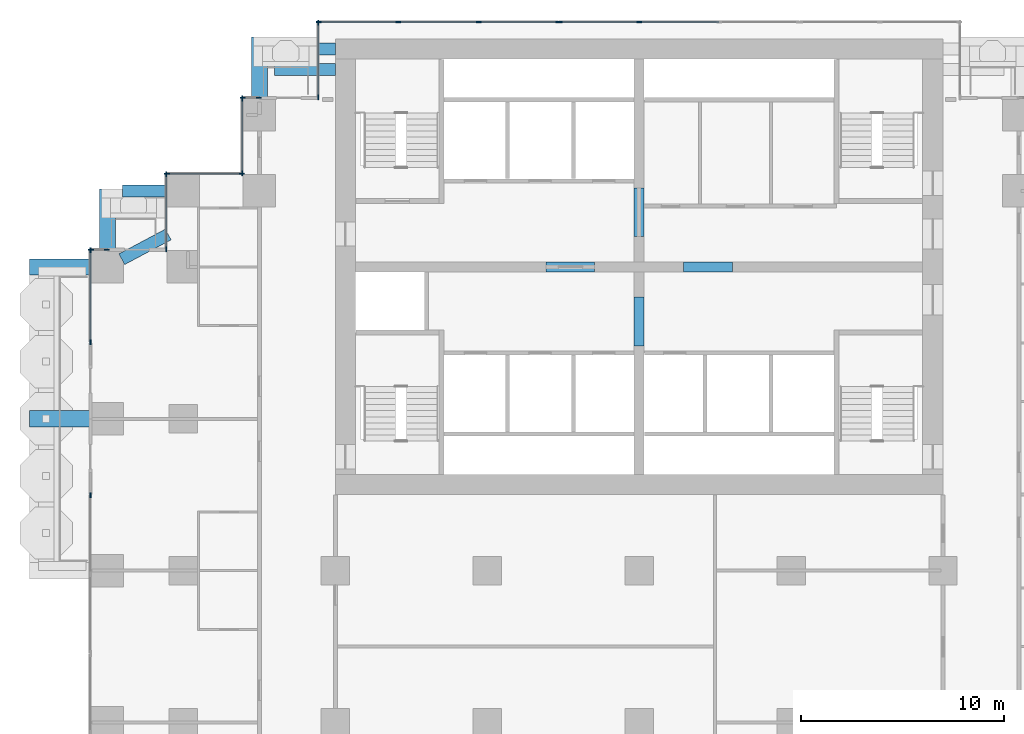
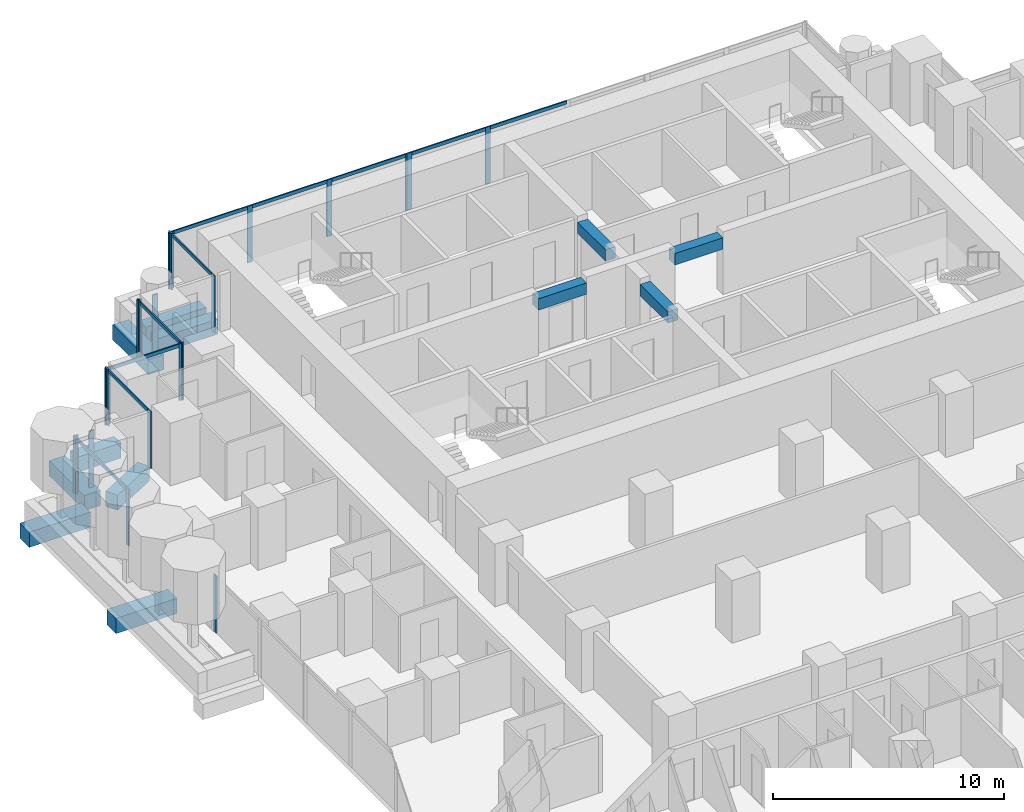
# One storey, part 4 of 17: 31 members, 12 beams, 10 elements without a shape of their own.
"""IFC4 building model written with IfcOpenShell, lengths in metres."""

from ifc_helpers import new_model, si_unit, direction, frame, origin, origin_2d, place, context, subcontext, project, spatial, rectangle, extrude, material, material_profile, profile_set, type_object, element, aggregate, save


model = new_model("IFC4")

# Units and contexts
model_context = context("Model", 3, precision=1e-05, world=origin(), true_north=direction((0.0, 1.0)))
body_context = subcontext(model_context, "Body", "Model", "MODEL_VIEW")
ifc_project = project(units=[si_unit("LENGTHUNIT", "METRE"), si_unit("AREAUNIT", "SQUARE_METRE"), si_unit("VOLUMEUNIT", "CUBIC_METRE"), si_unit("PLANEANGLEUNIT", "RADIAN"), si_unit("MASSUNIT", "GRAM", prefix="KILO")], contexts=[model_context])

# Site, building, storey
site_placement = place(None, origin())
site = spatial("IfcSite", under=ifc_project, at=site_placement, CompositionType="ELEMENT")
building_placement = place(site_placement, origin())
building = spatial("IfcBuilding", under=site, at=building_placement, Name="Pilkhan Gate Tower", CompositionType="ELEMENT")
storey_placement = place(building_placement, frame((0.0, 0.0, 49.39990234375)))
storey = spatial("IfcBuildingStorey", under=building, at=storey_placement, Name="L09", CompositionType="ELEMENT", Elevation=49.39990234375)

# Beams
ifc_material_1 = material(Name="Concrete C50/60", Category="concrete")
ifc_material_profile_1 = material_profile(ifc_material_1, rectangle(XDim=0.60009765625, YDim=0.800048828125, at=origin_2d()), Name="RC 600x800")
ifc_profile_set_1 = profile_set([ifc_material_profile_1], Name="Concrete C50/60")
beam_type_1 = type_object("IfcBeamType", Name="Cantilever beam CB1 RC 600x800 C50/60", PredefinedType="BEAM", material=ifc_profile_set_1)
for number, where, z_axis, x_axis, name in (
    (1, (60.0, 93.25, -0.699951171875), (-1.0, 0.0, 0.0), (0.0, -1.0, 0.0), "Balcony beam NW.2 L09"),
    (2, (60.0, 92.25, -0.699951171875), (-1.0, 0.0, 0.0), (0.0, -1.0, 0.0), "Balcony beam NW.3 L09"),
):
    element("IfcBeam", number, at=place(storey_placement, frame(where, z_axis=z_axis, x_axis=x_axis)), inside=storey, type_object=beam_type_1, Name=name, PredefinedType="BEAM", context=body_context, shape_type="SweptSolid", body=[
        extrude(rectangle(XDim=0.60009765625, YDim=0.800048828125, at=origin_2d()), origin(), (0.0, 0.0, 1.0), 3.0),
    ])
beam_1_placement = place(storey_placement, frame((51.699951171875, 86.25, -0.699951171875), z_axis=(-1.0, 0.0, 0.0), x_axis=(0.0, -1.0, 0.0)))
element("IfcBeam", 3, at=beam_1_placement, inside=storey, type_object=beam_type_1, Name="Balcony beam NW2.2 L09", PredefinedType="BEAM", context=body_context, shape_type="SweptSolid", body=[
    extrude(rectangle(XDim=0.60009765625, YDim=0.800048828125, at=origin_2d()), origin(), (0.0, 0.0, 1.0), 2.199951171875),
])
beam_2_placement = place(storey_placement, frame((49.455810546875, 82.87646484375, -0.699951171875), z_axis=(0.882342544151, 0.470607729199, 0.0), x_axis=(-0.470607729199, 0.882342544151, 0.0)))
element("IfcBeam", 4, at=beam_2_placement, inside=storey, type_object=beam_type_1, Name="Balcony beam NW2.3 L09", PredefinedType="BEAM", context=body_context, shape_type="SweptSolid", body=[
    extrude(rectangle(XDim=0.60009765625, YDim=0.800048828125, at=origin_2d()), origin(), (0.0, 0.0, 1.0), 2.60009765625),
])
ifc_material_profile_2 = material_profile(ifc_material_1, rectangle(XDim=0.800048828125, YDim=0.800048828125, at=origin_2d()), Name="RC 800x800")
ifc_profile_set_2 = profile_set([ifc_material_profile_2], Name="Concrete C50/60")
beam_type_2 = type_object("IfcBeamType", Name="Cantilever beam CB2 RC 800x800 C50/60", PredefinedType="BEAM", material=ifc_profile_set_2)
for number, where, z_axis, x_axis, name in (
    (5, (56.25, 90.800048828125, -0.699951171875), (0.0, 1.0, 0.0), (-1.0, 0.0, 0.0), "Balcony beam NW.1 L09"),
    (6, (48.75, 83.300048828125, -0.699951171875), (0.0, 1.0, 0.0), (-1.0, 0.0, 0.0), "Balcony beam NW2.1 L09"),
    (7, (47.949951171875, 75.0, -0.699951171875), (-1.0, 0.0, 0.0), (0.0, -1.0, 0.0), "Balcony beam W.2 L09"),
    (8, (47.949951171875, 82.5, -0.699951171875), (-1.0, 0.0, 0.0), (0.0, -1.0, 0.0), "Balcony beam W.3 L09"),
):
    element("IfcBeam", number, at=place(storey_placement, frame(where, z_axis=z_axis, x_axis=x_axis)), inside=storey, type_object=beam_type_2, Name=name, PredefinedType="BEAM", context=body_context, shape_type="SweptSolid", body=[
        extrude(rectangle(XDim=0.800048828125, YDim=0.800048828125, at=origin_2d()), origin(), (0.0, 0.0, 1.0), 3.050048828125),
    ])
ifc_material_2 = material(Name="Concrete C70/85", Category="concrete")
ifc_material_profile_3 = material_profile(ifc_material_2, rectangle(XDim=0.5, YDim=0.60009765625, at=origin_2d()), Name="RC 500x600")
ifc_profile_set_3 = profile_set([ifc_material_profile_3], Name="Concrete C70/85")
beam_type_3 = type_object("IfcBeamType", Name="Coupling beam CB60 RC 500x600 C70/85", PredefinedType="LINTEL", material=ifc_profile_set_3)
for number, where, z_axis, x_axis, name in (
    (9, (70.39990234375, 82.5, 2.7001953125), (1.0, 0.0, 0.0), (0.0, 1.0, 0.0), "Coupling beam 1 L09"),
    (10, (77.199951171875, 82.5, 2.7001953125), (1.0, 0.0, 0.0), (0.0, 1.0, 0.0), "Coupling beam 2 L09"),
):
    element("IfcBeam", number, at=place(storey_placement, frame(where, z_axis=z_axis, x_axis=x_axis)), inside=storey, type_object=beam_type_3, Name=name, PredefinedType="LINTEL", context=body_context, shape_type="SweptSolid", body=[
        extrude(rectangle(XDim=0.5, YDim=0.60009765625, at=origin_2d()), origin(), (0.0, 0.0, 1.0), 2.400146484375),
    ])
for number, where, z_axis, x_axis, name in (
    (11, (75.0, 78.60009765625, 2.7001953125), (0.0, 1.0, 0.0), (-1.0, 0.0, 0.0), "Coupling beam 3 L09"),
    (12, (75.0, 84.0, 2.7001953125), (0.0, 1.0, 0.0), (-1.0, 0.0, 0.0), "Coupling beam 4 L09"),
):
    element("IfcBeam", number, at=place(storey_placement, frame(where, z_axis=z_axis, x_axis=x_axis)), inside=storey, type_object=beam_type_3, Name=name, PredefinedType="LINTEL", context=body_context, shape_type="SweptSolid", body=[
        extrude(rectangle(XDim=0.5, YDim=0.60009765625, at=origin_2d()), origin(), (0.0, 0.0, 1.0), 2.39990234375),
    ])

# Curtain wall, members
ifc_material_3 = material(Name="Pale anodised aluminium, clear low-iron double glazing", Category="aluminium")
curtain_wall_type = type_object("IfcCurtainWallType", Name="Hotel unitised curtain wall CW-H", PredefinedType="USERDEFINED", material=ifc_material_3)
curtain_wall_1_placement = place(storey_placement, origin())
curtain_wall_1 = element("IfcCurtainWall", 13, at=curtain_wall_1_placement, inside=storey, type_object=curtain_wall_type, Name="Hotel unitised curtain wall CW-H L09 N", ObjectType="UNITISED CURTAIN WALL", PredefinedType="USERDEFINED")
ifc_material_4 = material(Name="Pale anodised aluminium", Category="aluminium")
ifc_material_profile_4 = material_profile(ifc_material_4, rectangle(XDim=0.06494140625, YDim=0.25, at=origin_2d()), Name="Mullion 250x65")
ifc_profile_set_4 = profile_set([ifc_material_profile_4], Name="Pale anodised aluminium")
member_type_1 = type_object("IfcMemberType", Name="Mullion CW-H 250x65", PredefinedType="MULLION", material=ifc_profile_set_4)
member_1_placement = place(storey_placement, frame((59.1875, 94.594970703125, 0.0), z_axis=(0.0, 0.0, 1.0), x_axis=(0.0, 1.0, 0.0)))
member_1 = element("IfcMember", 14, at=member_1_placement, type_object=member_type_1, Name="CW-H mullion 1", PredefinedType="MULLION", context=body_context, shape_type="SweptSolid", body=[
    extrude(rectangle(XDim=0.06494140625, YDim=0.25, at=origin_2d()), origin(), (0.0, 0.0, 1.0), 3.0),
])
member_2_placement = place(storey_placement, frame((63.1162109375, 94.594970703125, 0.0), z_axis=(0.0, 0.0, 1.0), x_axis=(0.0, 1.0, 0.0)))
member_2 = element("IfcMember", 15, at=member_2_placement, type_object=member_type_1, Name="CW-H mullion 2", PredefinedType="MULLION", context=body_context, shape_type="SweptSolid", body=[
    extrude(rectangle(XDim=0.06494140625, YDim=0.25, at=origin_2d()), origin(), (0.0, 0.0, 1.0), 3.0),
])
member_3_placement = place(storey_placement, frame((67.077392578125, 94.594970703125, 0.0), z_axis=(0.0, 0.0, 1.0), x_axis=(0.0, 1.0, 0.0)))
member_3 = element("IfcMember", 16, at=member_3_placement, type_object=member_type_1, Name="CW-H mullion 3", PredefinedType="MULLION", context=body_context, shape_type="SweptSolid", body=[
    extrude(rectangle(XDim=0.06494140625, YDim=0.25, at=origin_2d()), origin(), (0.0, 0.0, 1.0), 3.0),
])
member_4_placement = place(storey_placement, frame((71.00634765625, 94.594970703125, 0.0), z_axis=(0.0, 0.0, 1.0), x_axis=(0.0, 1.0, 0.0)))
member_4 = element("IfcMember", 17, at=member_4_placement, type_object=member_type_1, Name="CW-H mullion 4", PredefinedType="MULLION", context=body_context, shape_type="SweptSolid", body=[
    extrude(rectangle(XDim=0.06494140625, YDim=0.25, at=origin_2d()), origin(), (0.0, 0.0, 1.0), 3.0),
])

curtain_wall_2_placement = place(storey_placement, origin())
curtain_wall_2 = element("IfcCurtainWall", 18, at=curtain_wall_2_placement, inside=storey, type_object=curtain_wall_type, Name="Hotel unitised curtain wall CW-H L09 N", ObjectType="UNITISED CURTAIN WALL", PredefinedType="USERDEFINED")
member_5_placement = place(storey_placement, frame((71.0712890625, 94.594970703125, 0.0), z_axis=(0.0, 0.0, 1.0), x_axis=(0.0, 1.0, 0.0)))
member_5 = element("IfcMember", 19, at=member_5_placement, type_object=member_type_1, Name="CW-H mullion 1", PredefinedType="MULLION", context=body_context, shape_type="SweptSolid", body=[
    extrude(rectangle(XDim=0.06494140625, YDim=0.25, at=origin_2d()), origin(), (0.0, 0.0, 1.0), 3.0),
])
member_6_placement = place(storey_placement, frame((75.0, 94.594970703125, 0.0), z_axis=(0.0, 0.0, 1.0), x_axis=(0.0, 1.0, 0.0)))
member_6 = element("IfcMember", 20, at=member_6_placement, type_object=member_type_1, Name="CW-H mullion 2", PredefinedType="MULLION", context=body_context, shape_type="SweptSolid", body=[
    extrude(rectangle(XDim=0.06494140625, YDim=0.25, at=origin_2d()), origin(), (0.0, 0.0, 1.0), 3.0),
])

curtain_wall_3_placement = place(storey_placement, origin())
curtain_wall_3 = element("IfcCurtainWall", 21, at=curtain_wall_3_placement, inside=storey, type_object=curtain_wall_type, Name="Hotel unitised curtain wall CW-H L09 W", ObjectType="UNITISED CURTAIN WALL", PredefinedType="USERDEFINED")
member_7_placement = place(storey_placement, frame((59.155029296875, 90.87744140625, 0.0), z_axis=(0.0, 0.0, 1.0), x_axis=(-1.0, 0.0, 0.0)))
member_7 = element("IfcMember", 22, at=member_7_placement, type_object=member_type_1, Name="CW-H mullion 1", PredefinedType="MULLION", context=body_context, shape_type="SweptSolid", body=[
    extrude(rectangle(XDim=0.06494140625, YDim=0.25, at=origin_2d()), origin(), (0.0, 0.0, 1.0), 3.0),
])
member_8_placement = place(storey_placement, frame((59.155029296875, 94.5625, 0.0), z_axis=(0.0, 0.0, 1.0), x_axis=(-1.0, 0.0, 0.0)))
member_8 = element("IfcMember", 23, at=member_8_placement, type_object=member_type_1, Name="CW-H mullion 2", PredefinedType="MULLION", context=body_context, shape_type="SweptSolid", body=[
    extrude(rectangle(XDim=0.06494140625, YDim=0.25, at=origin_2d()), origin(), (0.0, 0.0, 1.0), 3.0),
])

curtain_wall_4_placement = place(storey_placement, origin())
curtain_wall_4 = element("IfcCurtainWall", 24, at=curtain_wall_4_placement, inside=storey, type_object=curtain_wall_type, Name="Hotel unitised curtain wall CW-H L09 N", ObjectType="UNITISED CURTAIN WALL", PredefinedType="USERDEFINED")
member_9_placement = place(storey_placement, frame((55.4375, 90.844970703125, 0.0), z_axis=(0.0, 0.0, 1.0), x_axis=(0.0, 1.0, 0.0)))
member_9 = element("IfcMember", 25, at=member_9_placement, type_object=member_type_1, Name="CW-H mullion 1", PredefinedType="MULLION", context=body_context, shape_type="SweptSolid", body=[
    extrude(rectangle(XDim=0.06494140625, YDim=0.25, at=origin_2d()), origin(), (0.0, 0.0, 1.0), 3.0),
])
member_10_placement = place(storey_placement, frame((56.217529296875, 90.844970703125, 0.0), z_axis=(0.0, 0.0, 1.0), x_axis=(0.0, 1.0, 0.0)))
member_10 = element("IfcMember", 26, at=member_10_placement, type_object=member_type_1, Name="CW-H mullion 2", PredefinedType="MULLION", context=body_context, shape_type="SweptSolid", body=[
    extrude(rectangle(XDim=0.06494140625, YDim=0.25, at=origin_2d()), origin(), (0.0, 0.0, 1.0), 3.0),
])
aggregate(curtain_wall_4, [member_9, member_10])

curtain_wall_5_placement = place(storey_placement, origin())
curtain_wall_5 = element("IfcCurtainWall", 27, at=curtain_wall_5_placement, inside=storey, type_object=curtain_wall_type, Name="Hotel unitised curtain wall CW-H L09 W", ObjectType="UNITISED CURTAIN WALL", PredefinedType="USERDEFINED")
member_11_placement = place(storey_placement, frame((55.405029296875, 87.12744140625, 0.0), z_axis=(0.0, 0.0, 1.0), x_axis=(-1.0, 0.0, 0.0)))
member_11 = element("IfcMember", 28, at=member_11_placement, type_object=member_type_1, Name="CW-H mullion 1", PredefinedType="MULLION", context=body_context, shape_type="SweptSolid", body=[
    extrude(rectangle(XDim=0.06494140625, YDim=0.25, at=origin_2d()), origin(), (0.0, 0.0, 1.0), 3.0),
])
member_12_placement = place(storey_placement, frame((55.405029296875, 90.8125, 0.0), z_axis=(0.0, 0.0, 1.0), x_axis=(-1.0, 0.0, 0.0)))
member_12 = element("IfcMember", 29, at=member_12_placement, type_object=member_type_1, Name="CW-H mullion 2", PredefinedType="MULLION", context=body_context, shape_type="SweptSolid", body=[
    extrude(rectangle(XDim=0.06494140625, YDim=0.25, at=origin_2d()), origin(), (0.0, 0.0, 1.0), 3.0),
])

curtain_wall_6_placement = place(storey_placement, origin())
curtain_wall_6 = element("IfcCurtainWall", 30, at=curtain_wall_6_placement, inside=storey, type_object=curtain_wall_type, Name="Hotel unitised curtain wall CW-H L09 N", ObjectType="UNITISED CURTAIN WALL", PredefinedType="USERDEFINED")
member_13_placement = place(storey_placement, frame((51.6875, 87.094970703125, 0.0), z_axis=(0.0, 0.0, 1.0), x_axis=(0.0, 1.0, 0.0)))
member_13 = element("IfcMember", 31, at=member_13_placement, type_object=member_type_1, Name="CW-H mullion 1", PredefinedType="MULLION", context=body_context, shape_type="SweptSolid", body=[
    extrude(rectangle(XDim=0.06494140625, YDim=0.25, at=origin_2d()), origin(), (0.0, 0.0, 1.0), 3.0),
])
member_14_placement = place(storey_placement, frame((55.37255859375, 87.094970703125, 0.0), z_axis=(0.0, 0.0, 1.0), x_axis=(0.0, 1.0, 0.0)))
member_14 = element("IfcMember", 32, at=member_14_placement, type_object=member_type_1, Name="CW-H mullion 2", PredefinedType="MULLION", context=body_context, shape_type="SweptSolid", body=[
    extrude(rectangle(XDim=0.06494140625, YDim=0.25, at=origin_2d()), origin(), (0.0, 0.0, 1.0), 3.0),
])

curtain_wall_7_placement = place(storey_placement, origin())
curtain_wall_7 = element("IfcCurtainWall", 33, at=curtain_wall_7_placement, inside=storey, type_object=curtain_wall_type, Name="Hotel unitised curtain wall CW-H L09 W", ObjectType="UNITISED CURTAIN WALL", PredefinedType="USERDEFINED")
member_15_placement = place(storey_placement, frame((51.655029296875, 83.37744140625, 0.0), z_axis=(0.0, 0.0, 1.0), x_axis=(-1.0, 0.0, 0.0)))
member_15 = element("IfcMember", 34, at=member_15_placement, type_object=member_type_1, Name="CW-H mullion 1", PredefinedType="MULLION", context=body_context, shape_type="SweptSolid", body=[
    extrude(rectangle(XDim=0.06494140625, YDim=0.25, at=origin_2d()), origin(), (0.0, 0.0, 1.0), 3.0),
])
member_16_placement = place(storey_placement, frame((51.655029296875, 87.0625, 0.0), z_axis=(0.0, 0.0, 1.0), x_axis=(-1.0, 0.0, 0.0)))
member_16 = element("IfcMember", 35, at=member_16_placement, type_object=member_type_1, Name="CW-H mullion 2", PredefinedType="MULLION", context=body_context, shape_type="SweptSolid", body=[
    extrude(rectangle(XDim=0.06494140625, YDim=0.25, at=origin_2d()), origin(), (0.0, 0.0, 1.0), 3.0),
])

curtain_wall_8_placement = place(storey_placement, origin())
curtain_wall_8 = element("IfcCurtainWall", 36, at=curtain_wall_8_placement, inside=storey, type_object=curtain_wall_type, Name="Hotel unitised curtain wall CW-H L09 N", ObjectType="UNITISED CURTAIN WALL", PredefinedType="USERDEFINED")
member_17_placement = place(storey_placement, frame((47.9375, 83.344970703125, 0.0), z_axis=(0.0, 0.0, 1.0), x_axis=(0.0, 1.0, 0.0)))
member_17 = element("IfcMember", 37, at=member_17_placement, type_object=member_type_1, Name="CW-H mullion 1", PredefinedType="MULLION", context=body_context, shape_type="SweptSolid", body=[
    extrude(rectangle(XDim=0.06494140625, YDim=0.25, at=origin_2d()), origin(), (0.0, 0.0, 1.0), 3.0),
])
member_18_placement = place(storey_placement, frame((48.717529296875, 83.344970703125, 0.0), z_axis=(0.0, 0.0, 1.0), x_axis=(0.0, 1.0, 0.0)))
member_18 = element("IfcMember", 38, at=member_18_placement, type_object=member_type_1, Name="CW-H mullion 2", PredefinedType="MULLION", context=body_context, shape_type="SweptSolid", body=[
    extrude(rectangle(XDim=0.06494140625, YDim=0.25, at=origin_2d()), origin(), (0.0, 0.0, 1.0), 3.0),
])
aggregate(curtain_wall_8, [member_17, member_18])

# Curtain wall, member
curtain_wall_9_placement = place(storey_placement, origin())
curtain_wall_9 = element("IfcCurtainWall", 39, at=curtain_wall_9_placement, inside=storey, type_object=curtain_wall_type, Name="Hotel unitised curtain wall CW-H L09 W", ObjectType="UNITISED CURTAIN WALL", PredefinedType="USERDEFINED")
member_19_placement = place(storey_placement, frame((47.905029296875, 71.217529296875, 0.0), z_axis=(0.0, 0.0, 1.0), x_axis=(-1.0, 0.0, 0.0)))
member_19 = element("IfcMember", 40, at=member_19_placement, type_object=member_type_1, Name="CW-H mullion 3", PredefinedType="MULLION", context=body_context, shape_type="SweptSolid", body=[
    extrude(rectangle(XDim=0.06494140625, YDim=0.25, at=origin_2d()), origin(), (0.0, 0.0, 1.0), 3.0),
])
aggregate(curtain_wall_9, [member_19])

# Curtain wall, members
curtain_wall_10_placement = place(storey_placement, origin())
curtain_wall_10 = element("IfcCurtainWall", 41, at=curtain_wall_10_placement, inside=storey, type_object=curtain_wall_type, Name="Hotel unitised curtain wall CW-H L09 W", ObjectType="UNITISED CURTAIN WALL", PredefinedType="USERDEFINED")
member_20_placement = place(storey_placement, frame((47.905029296875, 78.782470703125, 0.0), z_axis=(0.0, 0.0, 1.0), x_axis=(-1.0, 0.0, 0.0)))
member_20 = element("IfcMember", 42, at=member_20_placement, type_object=member_type_1, Name="CW-H mullion 1", PredefinedType="MULLION", context=body_context, shape_type="SweptSolid", body=[
    extrude(rectangle(XDim=0.06494140625, YDim=0.25, at=origin_2d()), origin(), (0.0, 0.0, 1.0), 3.0),
])
member_21_placement = place(storey_placement, frame((47.905029296875, 83.3125, 0.0), z_axis=(0.0, 0.0, 1.0), x_axis=(-1.0, 0.0, 0.0)))
member_21 = element("IfcMember", 43, at=member_21_placement, type_object=member_type_1, Name="CW-H mullion 2", PredefinedType="MULLION", context=body_context, shape_type="SweptSolid", body=[
    extrude(rectangle(XDim=0.06494140625, YDim=0.25, at=origin_2d()), origin(), (0.0, 0.0, 1.0), 3.0),
])

# Member
ifc_material_profile_5 = material_profile(ifc_material_4, rectangle(XDim=0.06494140625, YDim=0.179931640625, at=origin_2d()), Name="Transom 180x65")
ifc_profile_set_5 = profile_set([ifc_material_profile_5], Name="Pale anodised aluminium")
member_type_2 = type_object("IfcMemberType", Name="Transom CW-H 180x65", PredefinedType="USERDEFINED", material=ifc_profile_set_5)
member_22_placement = place(storey_placement, frame((59.219970703125, 94.594970703125, 2.91015625), z_axis=(1.0, 0.0, 0.0), x_axis=(0.0, 1.0, 0.0)))
member_22 = element("IfcMember", 44, at=member_22_placement, type_object=member_type_2, Name="CW-H transom 1", ObjectType="TRANSOM", PredefinedType="USERDEFINED", context=body_context, shape_type="SweptSolid", body=[
    extrude(rectangle(XDim=0.06494140625, YDim=0.179931640625, at=origin_2d()), origin(), (0.0, 0.0, 1.0), 3.86376953125),
])

member_23_placement = place(storey_placement, frame((63.148681640625, 94.594970703125, 2.91015625), z_axis=(1.0, 0.0, 0.0), x_axis=(0.0, 1.0, 0.0)))
member_23 = element("IfcMember", 45, at=member_23_placement, type_object=member_type_2, Name="CW-H transom 2", ObjectType="TRANSOM", PredefinedType="USERDEFINED", context=body_context, shape_type="SweptSolid", body=[
    extrude(rectangle(XDim=0.06494140625, YDim=0.179931640625, at=origin_2d()), origin(), (0.0, 0.0, 1.0), 3.896240234375),
])

member_24_placement = place(storey_placement, frame((67.110107421875, 94.594970703125, 2.91015625), z_axis=(1.0, 0.0, 0.0), x_axis=(0.0, 1.0, 0.0)))
member_24 = element("IfcMember", 46, at=member_24_placement, type_object=member_type_2, Name="CW-H transom 3", ObjectType="TRANSOM", PredefinedType="USERDEFINED", context=body_context, shape_type="SweptSolid", body=[
    extrude(rectangle(XDim=0.06494140625, YDim=0.179931640625, at=origin_2d()), origin(), (0.0, 0.0, 1.0), 3.863525390625),
])

aggregate(curtain_wall_1, [member_1, member_2, member_3, member_4, member_22, member_23, member_24])

member_25_placement = place(storey_placement, frame((71.103759765625, 94.594970703125, 2.91015625), z_axis=(1.0, 0.0, 0.0), x_axis=(0.0, 1.0, 0.0)))
member_25 = element("IfcMember", 47, at=member_25_placement, type_object=member_type_2, Name="CW-H transom 1", ObjectType="TRANSOM", PredefinedType="USERDEFINED", context=body_context, shape_type="SweptSolid", body=[
    extrude(rectangle(XDim=0.06494140625, YDim=0.179931640625, at=origin_2d()), origin(), (0.0, 0.0, 1.0), 3.86376953125),
])

member_26_placement = place(storey_placement, frame((75.032470703125, 94.594970703125, 2.91015625), z_axis=(1.0, 0.0, 0.0), x_axis=(0.0, 1.0, 0.0)))
member_26 = element("IfcMember", 48, at=member_26_placement, type_object=member_type_2, Name="CW-H transom 2", ObjectType="TRANSOM", PredefinedType="USERDEFINED", context=body_context, shape_type="SweptSolid", body=[
    extrude(rectangle(XDim=0.06494140625, YDim=0.179931640625, at=origin_2d()), origin(), (0.0, 0.0, 1.0), 3.896240234375),
])

aggregate(curtain_wall_2, [member_5, member_6, member_25, member_26])

member_27_placement = place(storey_placement, frame((59.155029296875, 90.909912109375, 2.91015625), z_axis=(0.0, 1.0, 0.0), x_axis=(-1.0, 0.0, 0.0)))
member_27 = element("IfcMember", 49, at=member_27_placement, type_object=member_type_2, Name="CW-H transom 1", ObjectType="TRANSOM", PredefinedType="USERDEFINED", context=body_context, shape_type="SweptSolid", body=[
    extrude(rectangle(XDim=0.06494140625, YDim=0.179931640625, at=origin_2d()), origin(), (0.0, 0.0, 1.0), 3.6201171875),
])

aggregate(curtain_wall_3, [member_7, member_8, member_27])

member_28_placement = place(storey_placement, frame((55.405029296875, 87.159912109375, 2.91015625), z_axis=(0.0, 1.0, 0.0), x_axis=(-1.0, 0.0, 0.0)))
member_28 = element("IfcMember", 50, at=member_28_placement, type_object=member_type_2, Name="CW-H transom 1", ObjectType="TRANSOM", PredefinedType="USERDEFINED", context=body_context, shape_type="SweptSolid", body=[
    extrude(rectangle(XDim=0.06494140625, YDim=0.179931640625, at=origin_2d()), origin(), (0.0, 0.0, 1.0), 3.6201171875),
])

aggregate(curtain_wall_5, [member_11, member_12, member_28])

member_29_placement = place(storey_placement, frame((51.719970703125, 87.094970703125, 2.91015625), z_axis=(1.0, 0.0, 0.0), x_axis=(0.0, 1.0, 0.0)))
member_29 = element("IfcMember", 51, at=member_29_placement, type_object=member_type_2, Name="CW-H transom 1", ObjectType="TRANSOM", PredefinedType="USERDEFINED", context=body_context, shape_type="SweptSolid", body=[
    extrude(rectangle(XDim=0.06494140625, YDim=0.179931640625, at=origin_2d()), origin(), (0.0, 0.0, 1.0), 3.6201171875),
])

aggregate(curtain_wall_6, [member_13, member_14, member_29])

member_30_placement = place(storey_placement, frame((51.655029296875, 83.409912109375, 2.91015625), z_axis=(0.0, 1.0, 0.0), x_axis=(-1.0, 0.0, 0.0)))
member_30 = element("IfcMember", 52, at=member_30_placement, type_object=member_type_2, Name="CW-H transom 1", ObjectType="TRANSOM", PredefinedType="USERDEFINED", context=body_context, shape_type="SweptSolid", body=[
    extrude(rectangle(XDim=0.06494140625, YDim=0.179931640625, at=origin_2d()), origin(), (0.0, 0.0, 1.0), 3.6201171875),
])

aggregate(curtain_wall_7, [member_15, member_16, member_30])

member_31_placement = place(storey_placement, frame((47.905029296875, 78.81494140625, 2.91015625), z_axis=(0.0, 1.0, 0.0), x_axis=(-1.0, 0.0, 0.0)))
member_31 = element("IfcMember", 53, at=member_31_placement, type_object=member_type_2, Name="CW-H transom 1", ObjectType="TRANSOM", PredefinedType="USERDEFINED", context=body_context, shape_type="SweptSolid", body=[
    extrude(rectangle(XDim=0.06494140625, YDim=0.179931640625, at=origin_2d()), origin(), (0.0, 0.0, 1.0), 4.465087890625),
])

aggregate(curtain_wall_10, [member_20, member_21, member_31])

save(model, "model.ifc")
